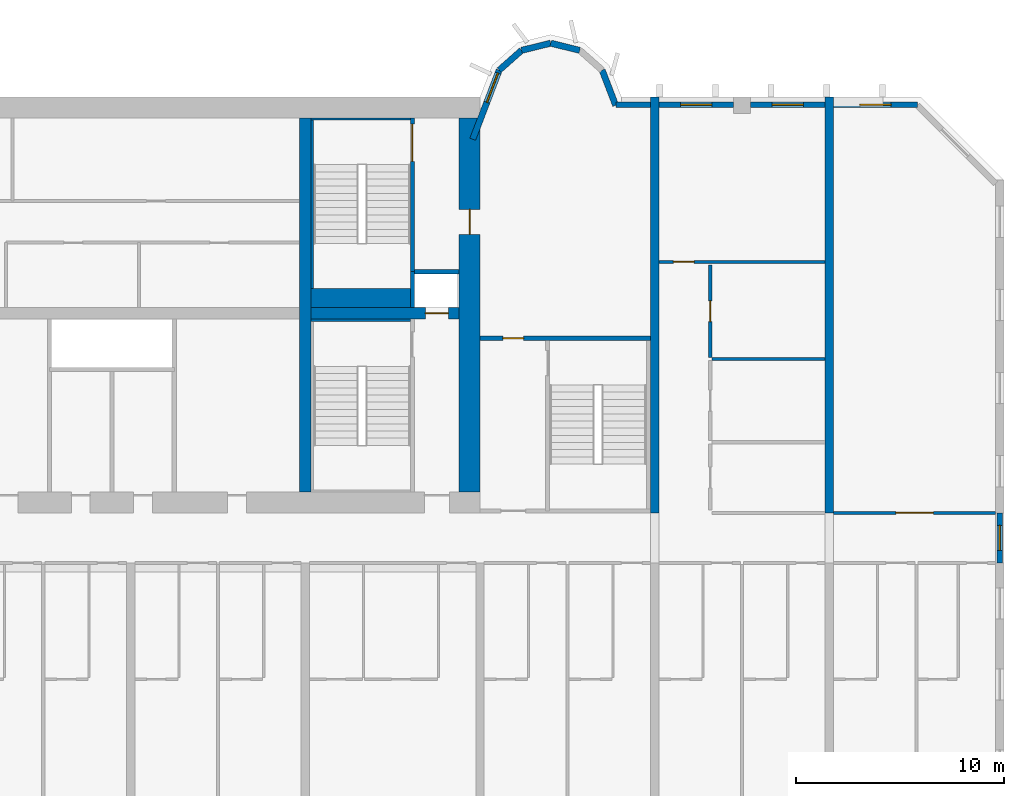
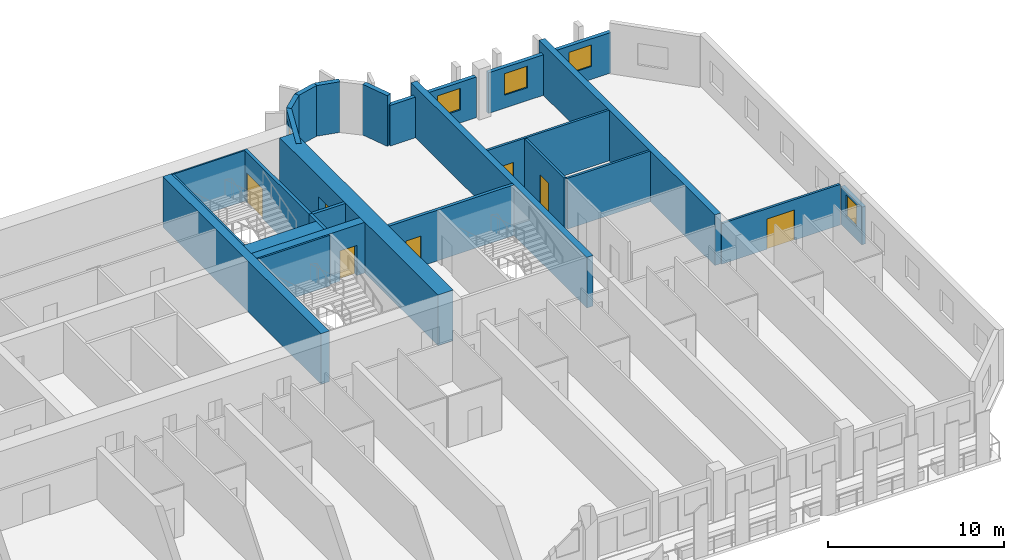
# One storey, part 10 of 14: 27 walls, 7 doors, 5 windows, 12 openings.
"""IFC4 building model written with IfcOpenShell, lengths in metres."""

from ifc_helpers import new_model, si_unit, direction, frame, frame_2d, origin, place, context, subcontext, project, spatial, rectangle, extrude, source, transform, mapped, material, layer, layer_set, type_object, element, fill, save


model = new_model("IFC4")

# Units and contexts
model_context = context("Model", 3, precision=1e-05, world=origin(), true_north=direction((0.0, 1.0)))
body_context = subcontext(model_context, "Body", "Model", "MODEL_VIEW")
ifc_project = project(units=[si_unit("LENGTHUNIT", "METRE"), si_unit("AREAUNIT", "SQUARE_METRE"), si_unit("VOLUMEUNIT", "CUBIC_METRE"), si_unit("PLANEANGLEUNIT", "RADIAN"), si_unit("MASSUNIT", "GRAM", prefix="KILO")], contexts=[model_context])

# Site, building, storey
site_placement = place(None, origin())
site = spatial("IfcSite", under=ifc_project, at=site_placement, CompositionType="ELEMENT")
building_placement = place(site_placement, origin())
building = spatial("IfcBuilding", under=site, at=building_placement, Name="Vanashikhar Sky Hotel", CompositionType="ELEMENT")
storey_placement = place(building_placement, frame((0.0, 0.0, 54.39990234375)))
storey = spatial("IfcBuildingStorey", under=building, at=storey_placement, Name="L12", CompositionType="ELEMENT", Elevation=54.39990234375)

# Wall, opening, door
ifc_material_1 = material(Name="Concrete M80", Category="concrete")
ifc_layer_1 = layer(ifc_material_1, 1.0)
ifc_layer_set_1 = layer_set([ifc_layer_1], Name="RC core shell wall 1000 Concrete M80")
wall_type_1 = type_object("IfcWallType", Name="RC core shell wall 1000 Concrete M80", PredefinedType="SHEAR", material=ifc_layer_set_1)
shared_shape_1 = source(origin(), body_context, "Body", "SweptSolid", [
    extrude(rectangle(XDim=18.0, YDim=1.0, at=frame_2d((9.0, 0.0))), origin(), (0.0, 0.0, 1.0), 3.52001953125),
])
wall_1_placement = place(storey_placement, frame((75.10009765625, 23.0, 0.0), z_axis=(0.0, 0.0, 1.0), x_axis=(0.0, 1.0, 0.0)))
wall_1 = element("IfcWall", 1, at=wall_1_placement, inside=storey, type_object=wall_type_1, Name="KW-L12-KE", PredefinedType="SHEAR", context=body_context, shape_type="MappedRepresentation", body=[
    mapped(shared_shape_1, transform((0.0, 0.0, 0.0), scale=1.0)),
])
shared_shape_2 = source(origin(), body_context, "Body", "SweptSolid", [
    extrude(rectangle(XDim=1.199951171875, YDim=2.10009765625, at=frame_2d((0.60009765625, 1.050048828125))), frame((0.0, 0.510009765625, 0.0), z_axis=(0.0, -1.0, 0.0), x_axis=(1.0, 0.0, 0.0)), (0.0, 0.0, 1.0), 1.02001953125),
])
opening_1_placement = place(wall_1_placement, frame((12.39990234375, 0.0, 0.0)))
opening_1 = element("IfcOpeningElement", 2, at=opening_1_placement, cuts=wall_1, Name="Opening DC-4-D", PredefinedType="OPENING", context=body_context, shape_type="MappedRepresentation", body=[
    mapped(shared_shape_2, transform((0.0, 0.0, 0.0), scale=1.0)),
])
ifc_material_2 = material(Name="Steel", Category="steel")
door_type_1 = type_object("IfcDoorType", Name="Service door 1200 FD120", OperationType="NOTDEFINED", PredefinedType="DOOR", material=ifc_material_2)
shared_shape_3 = source(origin(), body_context, "Body", "SweptSolid", [
    extrude(rectangle(XDim=1.199951171875, YDim=2.10009765625, at=frame_2d((0.60009765625, 1.050048828125))), frame((0.0, 0.02490234375, 0.0), z_axis=(0.0, -1.0, 0.0), x_axis=(1.0, 0.0, 0.0)), (0.0, 0.0, 1.0), 0.050048828125),
])
door_1_placement = place(opening_1_placement, origin())
door_1 = element("IfcDoor", 3, at=door_1_placement, inside=storey, type_object=door_type_1, Name="Service door 1200 FD120", OperationType="SINGLE_SWING_RIGHT", OverallHeight=2.10009765625, OverallWidth=1.199951171875, PredefinedType="DOOR", context=body_context, shape_type="MappedRepresentation", body=[
    mapped(shared_shape_3, transform((0.0, 0.0, 0.0), scale=1.0)),
])
fill(opening_1, door_1)

# Wall
ifc_layer_2 = layer(ifc_material_1, 0.550048828125)
ifc_layer_set_2 = layer_set([ifc_layer_2], Name="RC core inner wall 550 Concrete M80")
wall_type_2 = type_object("IfcWallType", Name="RC core inner wall 550 Concrete M80", PredefinedType="SHEAR", material=ifc_layer_set_2)
shared_shape_4 = source(origin(), body_context, "Body", "SweptSolid", [
    extrude(rectangle(XDim=18.0, YDim=0.550048828125, at=frame_2d((9.0, 0.0))), origin(), (0.0, 0.0, 1.0), 3.52001953125),
])
wall_2_placement = place(storey_placement, frame((67.199951171875, 23.0, 0.0), z_axis=(0.0, 0.0, 1.0), x_axis=(0.0, 1.0, 0.0)))
element("IfcWall", 4, at=wall_2_placement, inside=storey, type_object=wall_type_2, Name="KW-L12-KX3", PredefinedType="SHEAR", context=body_context, shape_type="MappedRepresentation", body=[
    mapped(shared_shape_4, transform((0.0, 0.0, 0.0), scale=1.0)),
])

# Wall, opening, door
shared_shape_5 = source(origin(), body_context, "Body", "SweptSolid", [
    extrude(rectangle(XDim=7.125, YDim=0.550048828125, at=frame_2d((3.5625, 0.0))), origin(), (0.0, 0.0, 1.0), 3.52001953125),
])
wall_3_placement = place(storey_placement, frame((67.47509765625, 31.60009765625, 0.0), z_axis=(0.0, 0.0, 1.0), x_axis=(1.0, 0.0, 0.0)))
wall_3 = element("IfcWall", 5, at=wall_3_placement, inside=storey, type_object=wall_type_2, Name="KW-L12-KY4", PredefinedType="SHEAR", context=body_context, shape_type="MappedRepresentation", body=[
    mapped(shared_shape_5, transform((0.0, 0.0, 0.0), scale=1.0)),
])
shared_shape_6 = source(origin(), body_context, "Body", "SweptSolid", [
    extrude(rectangle(XDim=1.10009765625, YDim=2.10009765625, at=frame_2d((0.550048828125, 1.050048828125))), frame((0.0, 0.28515625, 0.0), z_axis=(0.0, -1.0, 0.0), x_axis=(1.0, 0.0, 0.0)), (0.0, 0.0, 1.0), 0.570068359375),
])
opening_2_placement = place(wall_3_placement, frame((5.5, 0.0, 0.0)))
opening_2 = element("IfcOpeningElement", 6, at=opening_2_placement, cuts=wall_3, Name="Opening LD", PredefinedType="OPENING", context=body_context, shape_type="MappedRepresentation", body=[
    mapped(shared_shape_6, transform((0.0, 0.0, 0.0), scale=1.0)),
])
ifc_material_3 = material(Name="Stainless steel", Category="steel")
door_type_2 = type_object("IfcDoorType", Name="Lift landing door 1100", OperationType="NOTDEFINED", PredefinedType="DOOR", material=ifc_material_3)
shared_shape_7 = source(origin(), body_context, "Body", "SweptSolid", [
    extrude(rectangle(XDim=1.10009765625, YDim=2.10009765625, at=frame_2d((0.550048828125, 1.050048828125))), frame((0.0, 0.02490234375, 0.0), z_axis=(0.0, -1.0, 0.0), x_axis=(1.0, 0.0, 0.0)), (0.0, 0.0, 1.0), 0.050048828125),
])
door_2_placement = place(opening_2_placement, origin())
door_2 = element("IfcDoor", 7, at=door_2_placement, inside=storey, type_object=door_type_2, Name="Lift landing door 1100", OperationType="SLIDING_TO_LEFT", OverallHeight=2.10009765625, OverallWidth=1.10009765625, PredefinedType="DOOR", context=body_context, shape_type="MappedRepresentation", body=[
    mapped(shared_shape_7, transform((0.0, 0.0, 0.0), scale=1.0)),
])
fill(opening_2, door_2)

# Walls
ifc_layer_3 = layer(ifc_material_1, 0.39990234375)
ifc_layer_set_3 = layer_set([ifc_layer_3], Name="RC shear wall 400 Concrete M80")
wall_type_3 = type_object("IfcWallType", Name="RC shear wall 400 Concrete M80", PredefinedType="SHEAR", material=ifc_layer_set_3)
shared_shape_8 = source(origin(), body_context, "Body", "SweptSolid", [
    extrude(rectangle(XDim=20.0, YDim=0.39990234375, at=frame_2d((10.0, 0.0))), origin(), (0.0, 0.0, 1.0), 3.52001953125),
])
for number, where, z_axis, x_axis, name in (
    (8, (84.0, 22.0, 0.0), (0.0, 0.0, 1.0), (0.0, 1.0, 0.0), "CW-L12-XW11-2"),
    (9, (92.39990234375, 22.0, 0.0), (0.0, 0.0, 1.0), (0.0, 1.0, 0.0), "CW-L12-XW12-2"),
):
    element("IfcWall", number, at=place(storey_placement, frame(where, z_axis=z_axis, x_axis=x_axis)), inside=storey, type_object=wall_type_3, Name=name, PredefinedType="SHEAR", context=body_context, shape_type="MappedRepresentation", body=[
        mapped(shared_shape_8, transform((0.0, 0.0, 0.0), scale=1.0)),
    ])

# Wall, opening, window
ifc_material_4 = material(Name="Concrete M50", Category="concrete")
ifc_layer_4 = layer(ifc_material_4, 0.300048828125)
ifc_layer_set_4 = layer_set([ifc_layer_4], Name="Lobe wall 300")
wall_type_4 = type_object("IfcWallType", Name="Lobe wall 300", PredefinedType="SOLIDWALL", material=ifc_layer_set_4)
shared_shape_9 = source(origin(), body_context, "Body", "SweptSolid", [
    extrude(rectangle(XDim=3.55908203125, YDim=0.300048828125, at=frame_2d((1.779541015625, 0.0))), origin(), (0.0, 0.0, 1.0), 3.52001953125),
])
wall_4_placement = place(storey_placement, frame((76.5234375, 43.2919921875, 0.0), z_axis=(0.0, 0.0, 1.0), x_axis=(-0.35779745313, -0.933799219604, 0.0)))
wall_4 = element("IfcWall", 10, at=wall_4_placement, inside=storey, type_object=wall_type_4, Name="Lobe wall", PredefinedType="SOLIDWALL", context=body_context, shape_type="MappedRepresentation", body=[
    mapped(shared_shape_9, transform((0.0, 0.0, 0.0), scale=1.0)),
])
shared_shape_10 = source(origin(), body_context, "Body", "SweptSolid", [
    extrude(rectangle(XDim=1.5, YDim=2.0, at=frame_2d((0.75, 1.0))), frame((0.0, 0.16015625, 0.0), z_axis=(0.0, -1.0, 0.0), x_axis=(1.0, 0.0, 0.0)), (0.0, 0.0, 1.0), 0.320068359375),
])
opening_3_placement = place(wall_4_placement, frame((0.156005859375, 0.0, 0.89990234375)))
opening_3 = element("IfcOpeningElement", 11, at=opening_3_placement, cuts=wall_4, Name="Opening WN-2", PredefinedType="OPENING", context=body_context, shape_type="MappedRepresentation", body=[
    mapped(shared_shape_10, transform((0.0, 0.0, 0.0), scale=1.0)),
])
ifc_material_5 = material(Name="Glass", Category="glass")
window_type_1 = type_object("IfcWindowType", Name="Lobe window 1500 x 2000", PartitioningType="SINGLE_PANEL", PredefinedType="WINDOW", material=ifc_material_5)
shared_shape_11 = source(origin(), body_context, "Body", "SweptSolid", [
    extrude(rectangle(XDim=1.5, YDim=2.0, at=frame_2d((0.75, 1.0))), frame((0.0, 0.030029296875, 0.0), z_axis=(0.0, -1.0, 0.0), x_axis=(1.0, 0.0, 0.0)), (0.0, 0.0, 1.0), 0.06005859375),
])
window_1_placement = place(opening_3_placement, origin())
window_1 = element("IfcWindow", 12, at=window_1_placement, inside=storey, type_object=window_type_1, Name="Window WN-2", OverallHeight=2.0, OverallWidth=1.5, PartitioningType="SINGLE_PANEL", PredefinedType="WINDOW", context=body_context, shape_type="MappedRepresentation", body=[
    mapped(shared_shape_11, transform((0.0, 0.0, 0.0), scale=1.0)),
])
fill(opening_3, window_1)

# Walls
shared_shape_12 = source(origin(), body_context, "Body", "SweptSolid", [
    extrude(rectangle(XDim=1.438720703125, YDim=0.300048828125, at=frame_2d((0.71923828125, 0.0))), origin(), (0.0, 0.0, 1.0), 3.52001953125),
])
for number, where, z_axis, x_axis, name in (
    (13, (80.397216796875, 44.2451171875, 0.0), (0.0, 0.0, 1.0), (-0.971161932466, 0.238420848351, 0.0), "Lobe wall"),
    (14, (79.0, 44.588134765625, 0.0), (0.0, 0.0, 1.0), (-0.971161932466, -0.238420848351, 0.0), "Lobe wall"),
):
    element("IfcWall", number, at=place(storey_placement, frame(where, z_axis=z_axis, x_axis=x_axis)), inside=storey, type_object=wall_type_4, Name=name, PredefinedType="SOLIDWALL", context=body_context, shape_type="MappedRepresentation", body=[
        mapped(shared_shape_12, transform((0.0, 0.0, 0.0), scale=1.0)),
    ])
shared_shape_13 = source(origin(), body_context, "Body", "SweptSolid", [
    extrude(rectangle(XDim=1.43994140625, YDim=0.300048828125, at=frame_2d((0.719970703125, 0.0))), origin(), (0.0, 0.0, 1.0), 3.52001953125),
])
wall_5_placement = place(storey_placement, frame((77.602783203125, 44.2451171875, 0.0), z_axis=(0.0, 0.0, 1.0), x_axis=(-0.74957555648, -0.661918790432, 0.0)))
element("IfcWall", 15, at=wall_5_placement, inside=storey, type_object=wall_type_4, Name="Lobe wall", PredefinedType="SOLIDWALL", context=body_context, shape_type="MappedRepresentation", body=[
    mapped(shared_shape_13, transform((0.0, 0.0, 0.0), scale=1.0)),
])
shared_shape_14 = source(origin(), body_context, "Body", "SweptSolid", [
    extrude(rectangle(XDim=1.81201171875, YDim=0.300048828125, at=frame_2d((0.906005859375, 0.0))), origin(), (0.0, 0.0, 1.0), 3.52001953125),
])
wall_6_placement = place(storey_placement, frame((82.125, 41.60009765625, 0.0), z_axis=(0.0, 0.0, 1.0), x_axis=(-0.357877270961, 0.93376863244, 0.0)))
element("IfcWall", 16, at=wall_6_placement, inside=storey, type_object=wall_type_4, Name="Lobe wall", PredefinedType="SOLIDWALL", context=body_context, shape_type="MappedRepresentation", body=[
    mapped(shared_shape_14, transform((0.0, 0.0, 0.0), scale=1.0)),
])

# Wall, opening, window
ifc_layer_5 = layer(ifc_material_4, 0.25)
ifc_layer_set_5 = layer_set([ifc_layer_5], Name="Rear and end board-marked wall 250")
wall_type_5 = type_object("IfcWallType", Name="Rear and end board-marked wall 250", PredefinedType="SOLIDWALL", material=ifc_layer_set_5)
shared_shape_15 = source(origin(), body_context, "Body", "SweptSolid", [
    extrude(rectangle(XDim=2.39990234375, YDim=0.25, at=frame_2d((1.199951171875, 0.0))), origin(), (0.0, 0.0, 1.0), 2.6201171875),
])
wall_7_placement = place(storey_placement, frame((100.60009765625, 19.60009765625, 0.0), z_axis=(0.0, 0.0, 1.0), x_axis=(0.0, 1.0, 0.0)))
wall_7 = element("IfcWall", 17, at=wall_7_placement, inside=storey, type_object=wall_type_5, Name="End corridor infill wall", PredefinedType="SOLIDWALL", context=body_context, shape_type="MappedRepresentation", body=[
    mapped(shared_shape_15, transform((0.0, 0.0, 0.0), scale=1.0)),
])
shared_shape_16 = source(origin(), body_context, "Body", "SweptSolid", [
    extrude(rectangle(XDim=1.199951171875, YDim=1.5, at=frame_2d((0.60009765625, 0.75))), frame((0.0, 0.135009765625, 0.0), z_axis=(0.0, -1.0, 0.0), x_axis=(1.0, 0.0, 0.0)), (0.0, 0.0, 1.0), 0.27001953125),
])
opening_4_placement = place(wall_7_placement, frame((0.60009765625, 0.0, 0.89990234375)))
opening_4 = element("IfcOpeningElement", 18, at=opening_4_placement, cuts=wall_7, Name="Opening WN-3", PredefinedType="OPENING", context=body_context, shape_type="MappedRepresentation", body=[
    mapped(shared_shape_16, transform((0.0, 0.0, 0.0), scale=1.0)),
])
window_type_2 = type_object("IfcWindowType", Name="Corridor end window 1200 x 1500", PartitioningType="SINGLE_PANEL", PredefinedType="WINDOW", material=ifc_material_5)
shared_shape_17 = source(origin(), body_context, "Body", "SweptSolid", [
    extrude(rectangle(XDim=1.199951171875, YDim=1.5, at=frame_2d((0.60009765625, 0.75))), frame((0.0, 0.030029296875, 0.0), z_axis=(0.0, -1.0, 0.0), x_axis=(1.0, 0.0, 0.0)), (0.0, 0.0, 1.0), 0.06005859375),
])
window_2_placement = place(opening_4_placement, origin())
window_2 = element("IfcWindow", 19, at=window_2_placement, inside=storey, type_object=window_type_2, Name="Window WN-3", OverallHeight=1.5, OverallWidth=1.199951171875, PartitioningType="SINGLE_PANEL", PredefinedType="WINDOW", context=body_context, shape_type="MappedRepresentation", body=[
    mapped(shared_shape_17, transform((0.0, 0.0, 0.0), scale=1.0)),
])
fill(opening_4, window_2)

# Wall
shared_shape_18 = source(origin(), body_context, "Body", "SweptSolid", [
    extrude(rectangle(XDim=1.657958984375, YDim=0.25, at=frame_2d((0.8291015625, 0.0))), origin(), (0.0, 0.0, 1.0), 2.820068359375),
])
wall_8_placement = place(storey_placement, frame((83.800048828125, 41.625, 0.0), z_axis=(0.0, 0.0, 1.0), x_axis=(-1.0, 0.0, 0.0)))
element("IfcWall", 20, at=wall_8_placement, inside=storey, type_object=wall_type_5, Name="Rear board-marked wall", PredefinedType="SOLIDWALL", context=body_context, shape_type="MappedRepresentation", body=[
    mapped(shared_shape_18, transform((0.0, 0.0, 0.0), scale=1.0)),
])

# Wall, opening, window
shared_shape_19 = source(origin(), body_context, "Body", "SweptSolid", [
    extrude(rectangle(XDim=3.60009765625, YDim=0.25, at=frame_2d((1.800048828125, 0.0))), origin(), (0.0, 0.0, 1.0), 2.820068359375),
])
wall_9_placement = place(storey_placement, frame((87.800048828125, 41.625, 0.0), z_axis=(0.0, 0.0, 1.0), x_axis=(-1.0, 0.0, 0.0)))
wall_9 = element("IfcWall", 21, at=wall_9_placement, inside=storey, type_object=wall_type_5, Name="Rear board-marked wall", PredefinedType="SOLIDWALL", context=body_context, shape_type="MappedRepresentation", body=[
    mapped(shared_shape_19, transform((0.0, 0.0, 0.0), scale=1.0)),
])
shared_shape_20 = source(origin(), body_context, "Body", "SweptSolid", [
    extrude(rectangle(XDim=1.5, YDim=1.5, at=frame_2d((0.75, 0.75))), frame((0.0, 0.135009765625, 0.0), z_axis=(0.0, -1.0, 0.0), x_axis=(1.0, 0.0, 0.0)), (0.0, 0.0, 1.0), 0.27001953125),
])
opening_5_placement = place(wall_9_placement, frame((1.050048828125, 0.0, 0.89990234375)))
opening_5 = element("IfcOpeningElement", 22, at=opening_5_placement, cuts=wall_9, Name="Opening WN-1", PredefinedType="OPENING", context=body_context, shape_type="MappedRepresentation", body=[
    mapped(shared_shape_20, transform((0.0, 0.0, 0.0), scale=1.0)),
])
window_type_3 = type_object("IfcWindowType", Name="Window 1500 x 1500", PartitioningType="SINGLE_PANEL", PredefinedType="WINDOW", material=ifc_material_5)
shared_shape_21 = source(origin(), body_context, "Body", "SweptSolid", [
    extrude(rectangle(XDim=1.5, YDim=1.5, at=frame_2d((0.75, 0.75))), frame((0.0, 0.030029296875, 0.0), z_axis=(0.0, -1.0, 0.0), x_axis=(1.0, 0.0, 0.0)), (0.0, 0.0, 1.0), 0.06005859375),
])
window_3_placement = place(opening_5_placement, origin())
window_3 = element("IfcWindow", 23, at=window_3_placement, inside=storey, type_object=window_type_3, Name="Window WN-1", OverallHeight=1.5, OverallWidth=1.5, PartitioningType="SINGLE_PANEL", PredefinedType="WINDOW", context=body_context, shape_type="MappedRepresentation", body=[
    mapped(shared_shape_21, transform((0.0, 0.0, 0.0), scale=1.0)),
])
fill(opening_5, window_3)

shared_shape_22 = source(origin(), body_context, "Body", "SweptSolid", [
    extrude(rectangle(XDim=3.599853515625, YDim=0.25, at=frame_2d((1.7998046875, 0.0))), origin(), (0.0, 0.0, 1.0), 2.820068359375),
])
wall_10_placement = place(storey_placement, frame((92.199951171875, 41.625, 0.0), z_axis=(0.0, 0.0, 1.0), x_axis=(-1.0, 0.0, 0.0)))
wall_10 = element("IfcWall", 24, at=wall_10_placement, inside=storey, type_object=wall_type_5, Name="Rear board-marked wall", PredefinedType="SOLIDWALL", context=body_context, shape_type="MappedRepresentation", body=[
    mapped(shared_shape_22, transform((0.0, 0.0, 0.0), scale=1.0)),
])
opening_6_placement = place(wall_10_placement, frame((1.050048828125, 0.0, 0.89990234375)))
opening_6 = element("IfcOpeningElement", 25, at=opening_6_placement, cuts=wall_10, Name="Opening WN-1", PredefinedType="OPENING", context=body_context, shape_type="MappedRepresentation", body=[
    mapped(shared_shape_20, transform((0.0, 0.0, 0.0), scale=1.0)),
])
window_4_placement = place(opening_6_placement, origin())
window_4 = element("IfcWindow", 26, at=window_4_placement, inside=storey, type_object=window_type_3, Name="Window WN-1", OverallHeight=1.5, OverallWidth=1.5, PartitioningType="SINGLE_PANEL", PredefinedType="WINDOW", context=body_context, shape_type="MappedRepresentation", body=[
    mapped(shared_shape_21, transform((0.0, 0.0, 0.0), scale=1.0)),
])
fill(opening_6, window_4)

shared_shape_23 = source(origin(), body_context, "Body", "SweptSolid", [
    extrude(rectangle(XDim=4.044677734375, YDim=0.25, at=frame_2d((2.0224609375, 0.0))), origin(), (0.0, 0.0, 1.0), 2.820068359375),
])
wall_11_placement = place(storey_placement, frame((96.644775390625, 41.625, 0.0), z_axis=(0.0, 0.0, 1.0), x_axis=(-1.0, 0.0, 0.0)))
wall_11 = element("IfcWall", 27, at=wall_11_placement, inside=storey, type_object=wall_type_5, Name="Rear board-marked wall", PredefinedType="SOLIDWALL", context=body_context, shape_type="MappedRepresentation", body=[
    mapped(shared_shape_23, transform((0.0, 0.0, 0.0), scale=1.0)),
])
opening_7_placement = place(wall_11_placement, frame((1.272216796875, 0.0, 0.89990234375)))
opening_7 = element("IfcOpeningElement", 28, at=opening_7_placement, cuts=wall_11, Name="Opening WN-1", PredefinedType="OPENING", context=body_context, shape_type="MappedRepresentation", body=[
    mapped(shared_shape_20, transform((0.0, 0.0, 0.0), scale=1.0)),
])
window_5_placement = place(opening_7_placement, origin())
window_5 = element("IfcWindow", 29, at=window_5_placement, inside=storey, type_object=window_type_3, Name="Window WN-1", OverallHeight=1.5, OverallWidth=1.5, PartitioningType="SINGLE_PANEL", PredefinedType="WINDOW", context=body_context, shape_type="MappedRepresentation", body=[
    mapped(shared_shape_21, transform((0.0, 0.0, 0.0), scale=1.0)),
])
fill(opening_7, window_5)

# Wall, opening, door
ifc_layer_6 = layer(ifc_material_4, 0.199951171875)
ifc_layer_set_6 = layer_set([ifc_layer_6], Name="Stair wall 200")
wall_type_6 = type_object("IfcWallType", Name="Stair wall 200", PredefinedType="SOLIDWALL", material=ifc_layer_set_6)
shared_shape_24 = source(origin(), body_context, "Body", "SweptSolid", [
    extrude(rectangle(XDim=8.199951171875, YDim=0.199951171875, at=frame_2d((4.10009765625, 0.0))), origin(), (0.0, 0.0, 1.0), 3.52001953125),
])
wall_12_placement = place(storey_placement, frame((83.800048828125, 30.39990234375, 0.0), z_axis=(0.0, 0.0, 1.0), x_axis=(-1.0, 0.0, 0.0)))
wall_12 = element("IfcWall", 30, at=wall_12_placement, inside=storey, type_object=wall_type_6, Name="Stair wall 200", PredefinedType="SOLIDWALL", context=body_context, shape_type="MappedRepresentation", body=[
    mapped(shared_shape_24, transform((0.0, 0.0, 0.0), scale=1.0)),
])
shared_shape_25 = source(origin(), body_context, "Body", "SweptSolid", [
    extrude(rectangle(XDim=1.0, YDim=2.10009765625, at=frame_2d((0.5, 1.050048828125))), frame((0.0, 0.10986328125, 0.0), z_axis=(0.0, -1.0, 0.0), x_axis=(1.0, 0.0, 0.0)), (0.0, 0.0, 1.0), 0.219970703125),
])
opening_8_placement = place(wall_12_placement, frame((6.10009765625, 0.0, 0.0)))
opening_8 = element("IfcOpeningElement", 31, at=opening_8_placement, cuts=wall_12, Name="Opening DC-6", PredefinedType="OPENING", context=body_context, shape_type="MappedRepresentation", body=[
    mapped(shared_shape_25, transform((0.0, 0.0, 0.0), scale=1.0)),
])
door_type_3 = type_object("IfcDoorType", Name="Pocket door 1000 FD60", OperationType="NOTDEFINED", PredefinedType="DOOR", material=ifc_material_2)
shared_shape_26 = source(origin(), body_context, "Body", "SweptSolid", [
    extrude(rectangle(XDim=1.0, YDim=2.10009765625, at=frame_2d((0.5, 1.050048828125))), frame((0.0, 0.02490234375, 0.0), z_axis=(0.0, -1.0, 0.0), x_axis=(1.0, 0.0, 0.0)), (0.0, 0.0, 1.0), 0.050048828125),
])
door_3_placement = place(opening_8_placement, origin())
door_3 = element("IfcDoor", 32, at=door_3_placement, inside=storey, type_object=door_type_3, Name="Pocket door 1000 FD60", OperationType="SINGLE_SWING_LEFT", OverallHeight=2.10009765625, OverallWidth=1.0, PredefinedType="DOOR", context=body_context, shape_type="MappedRepresentation", body=[
    mapped(shared_shape_26, transform((0.0, 0.0, 0.0), scale=1.0)),
])
fill(opening_8, door_3)

# Walls
ifc_material_6 = material(Name="Concrete M40", Category="concrete")
ifc_layer_7 = layer(ifc_material_6, 0.199951171875)
ifc_layer_set_7 = layer_set([ifc_layer_7], Name="Shaft wall 200")
wall_type_7 = type_object("IfcWallType", Name="Shaft wall 200", PredefinedType="SOLIDWALL", material=ifc_layer_set_7)
shared_shape_27 = source(origin(), body_context, "Body", "SweptSolid", [
    extrude(rectangle(XDim=2.150146484375, YDim=0.199951171875, at=frame_2d((1.0751953125, 0.0))), origin(), (0.0, 0.0, 1.0), 3.52001953125),
])
wall_13_placement = place(storey_placement, frame((72.449951171875, 33.60009765625, 0.0), z_axis=(0.0, 0.0, 1.0), x_axis=(1.0, 0.0, 0.0)))
element("IfcWall", 33, at=wall_13_placement, inside=storey, type_object=wall_type_7, Name="Shaft wall 200", PredefinedType="SOLIDWALL", context=body_context, shape_type="MappedRepresentation", body=[
    mapped(shared_shape_27, transform((0.0, 0.0, 0.0), scale=1.0)),
])
shared_shape_28 = source(origin(), body_context, "Body", "SweptSolid", [
    extrude(rectangle(XDim=1.72509765625, YDim=0.199951171875, at=frame_2d((0.862548828125, 0.0))), origin(), (0.0, 0.0, 1.0), 3.52001953125),
])
wall_14_placement = place(storey_placement, frame((72.35009765625, 31.875, 0.0), z_axis=(0.0, 0.0, 1.0), x_axis=(0.0, 1.0, 0.0)))
element("IfcWall", 34, at=wall_14_placement, inside=storey, type_object=wall_type_7, Name="Shaft wall 200", PredefinedType="SOLIDWALL", context=body_context, shape_type="MappedRepresentation", body=[
    mapped(shared_shape_28, transform((0.0, 0.0, 0.0), scale=1.0)),
])

# Wall, opening, door
shared_shape_29 = source(origin(), body_context, "Body", "SweptSolid", [
    extrude(rectangle(XDim=7.39990234375, YDim=0.199951171875, at=frame_2d((3.699951171875, 0.0))), origin(), (0.0, 0.0, 1.0), 3.52001953125),
])
wall_15_placement = place(storey_placement, frame((72.35009765625, 33.60009765625, 0.0), z_axis=(0.0, 0.0, 1.0), x_axis=(0.0, 1.0, 0.0)))
wall_15 = element("IfcWall", 35, at=wall_15_placement, inside=storey, type_object=wall_type_6, Name="Stair wall 200", PredefinedType="SOLIDWALL", context=body_context, shape_type="MappedRepresentation", body=[
    mapped(shared_shape_29, transform((0.0, 0.0, 0.0), scale=1.0)),
])
shared_shape_30 = source(origin(), body_context, "Body", "SweptSolid", [
    extrude(rectangle(XDim=1.800048828125, YDim=2.10009765625, at=frame_2d((0.89990234375, 1.050048828125))), frame((0.0, 0.10986328125, 0.0), z_axis=(0.0, -1.0, 0.0), x_axis=(1.0, 0.0, 0.0)), (0.0, 0.0, 1.0), 0.219970703125),
])
opening_9_placement = place(wall_15_placement, frame((5.300048828125, 0.0, 0.0)))
opening_9 = element("IfcOpeningElement", 36, at=opening_9_placement, cuts=wall_15, Name="Opening DC-1-A", PredefinedType="OPENING", context=body_context, shape_type="MappedRepresentation", body=[
    mapped(shared_shape_30, transform((0.0, 0.0, 0.0), scale=1.0)),
])
door_type_4 = type_object("IfcDoorType", Name="Stair door 1800 FD120", OperationType="NOTDEFINED", PredefinedType="DOOR", material=ifc_material_2)
shared_shape_31 = source(origin(), body_context, "Body", "SweptSolid", [
    extrude(rectangle(XDim=1.800048828125, YDim=2.10009765625, at=frame_2d((0.89990234375, 1.050048828125))), frame((0.0, 0.02490234375, 0.0), z_axis=(0.0, -1.0, 0.0), x_axis=(1.0, 0.0, 0.0)), (0.0, 0.0, 1.0), 0.050048828125),
])
door_4_placement = place(opening_9_placement, origin())
door_4 = element("IfcDoor", 37, at=door_4_placement, inside=storey, type_object=door_type_4, Name="Stair door 1800 FD120", OperationType="SINGLE_SWING_RIGHT", OverallHeight=2.10009765625, OverallWidth=1.800048828125, PredefinedType="DOOR", context=body_context, shape_type="MappedRepresentation", body=[
    mapped(shared_shape_31, transform((0.0, 0.0, 0.0), scale=1.0)),
])
fill(opening_9, door_4)

# Walls
ifc_layer_8 = layer(ifc_material_4, 0.10009765625)
ifc_layer_set_8 = layer_set([ifc_layer_8], Name="Stair infill wall 100")
wall_type_8 = type_object("IfcWallType", Name="Stair infill wall 100", PredefinedType="SOLIDWALL", material=ifc_layer_set_8)
shared_shape_32 = source(origin(), body_context, "Body", "SweptSolid", [
    extrude(rectangle(XDim=4.77490234375, YDim=0.10009765625, at=frame_2d((2.387451171875, 0.0))), origin(), (0.0, 0.0, 1.0), 3.52001953125),
])
wall_16_placement = place(storey_placement, frame((67.47509765625, 40.949951171875, 0.0), z_axis=(0.0, 0.0, 1.0), x_axis=(1.0, 0.0, 0.0)))
element("IfcWall", 38, at=wall_16_placement, inside=storey, type_object=wall_type_8, Name="Stair infill wall 100", PredefinedType="SOLIDWALL", context=body_context, shape_type="MappedRepresentation", body=[
    mapped(shared_shape_32, transform((0.0, 0.0, 0.0), scale=1.0)),
])
ifc_layer_9 = layer(ifc_material_4, 0.125)
ifc_layer_set_9 = layer_set([ifc_layer_9], Name="Stair infill wall 125")
wall_type_9 = type_object("IfcWallType", Name="Stair infill wall 125", PredefinedType="SOLIDWALL", material=ifc_layer_set_9)
shared_shape_33 = source(origin(), body_context, "Body", "SweptSolid", [
    extrude(rectangle(XDim=4.77490234375, YDim=0.125, at=frame_2d((2.387451171875, 0.0))), origin(), (0.0, 0.0, 1.0), 3.52001953125),
])
wall_17_placement = place(storey_placement, frame((67.47509765625, 31.261962890625, 0.0), z_axis=(0.0, 0.0, 1.0), x_axis=(1.0, 0.0, 0.0)))
element("IfcWall", 39, at=wall_17_placement, inside=storey, type_object=wall_type_9, Name="Stair infill wall 125", PredefinedType="SOLIDWALL", context=body_context, shape_type="MappedRepresentation", body=[
    mapped(shared_shape_33, transform((0.0, 0.0, 0.0), scale=1.0)),
])
shared_shape_34 = source(origin(), body_context, "Body", "SweptSolid", [
    extrude(rectangle(XDim=8.099853515625, YDim=0.125, at=frame_2d((4.0498046875, 0.0))), origin(), (0.0, 0.0, 1.0), 3.52001953125),
])
wall_18_placement = place(storey_placement, frame((67.537109375, 32.800048828125, 0.0), z_axis=(0.0, 0.0, 1.0), x_axis=(0.0, 1.0, 0.0)))
element("IfcWall", 40, at=wall_18_placement, inside=storey, type_object=wall_type_9, Name="Stair infill wall 125", PredefinedType="SOLIDWALL", context=body_context, shape_type="MappedRepresentation", body=[
    mapped(shared_shape_34, transform((0.0, 0.0, 0.0), scale=1.0)),
])
ifc_layer_10 = layer(ifc_material_4, 0.925048828125)
ifc_layer_set_10 = layer_set([ifc_layer_10], Name="Stair infill wall 925")
wall_type_10 = type_object("IfcWallType", Name="Stair infill wall 925", PredefinedType="SOLIDWALL", material=ifc_layer_set_10)
shared_shape_35 = source(origin(), body_context, "Body", "SweptSolid", [
    extrude(rectangle(XDim=4.77490234375, YDim=0.925048828125, at=frame_2d((2.387451171875, 0.0))), origin(), (0.0, 0.0, 1.0), 3.52001953125),
])
wall_19_placement = place(storey_placement, frame((67.47509765625, 32.3369140625, 0.0), z_axis=(0.0, 0.0, 1.0), x_axis=(1.0, 0.0, 0.0)))
element("IfcWall", 41, at=wall_19_placement, inside=storey, type_object=wall_type_10, Name="Stair infill wall 925", PredefinedType="SOLIDWALL", context=body_context, shape_type="MappedRepresentation", body=[
    mapped(shared_shape_35, transform((0.0, 0.0, 0.0), scale=1.0)),
])

# Wall, opening, door
ifc_material_7 = material(Name="Gypsum plasterboard partition")
ifc_layer_11 = layer(ifc_material_7, 0.14990234375)
ifc_layer_set_11 = layer_set([ifc_layer_11], Name="Corridor and demising partition 150")
wall_type_11 = type_object("IfcWallType", Name="Corridor and demising partition 150", PredefinedType="PARTITIONING", material=ifc_layer_set_11)
shared_shape_36 = source(origin(), body_context, "Body", "SweptSolid", [
    extrude(rectangle(XDim=4.449951171875, YDim=0.14990234375, at=frame_2d((2.22509765625, 0.0))), origin(), (0.0, 0.0, 1.0), 3.52001953125),
])
wall_20_placement = place(storey_placement, frame((86.675048828125, 29.47509765625, 0.0), z_axis=(0.0, 0.0, 1.0), x_axis=(0.0, 1.0, 0.0)))
wall_20 = element("IfcWall", 42, at=wall_20_placement, inside=storey, type_object=wall_type_11, Name="W-L12-PW090", PredefinedType="PARTITIONING", context=body_context, shape_type="MappedRepresentation", body=[
    mapped(shared_shape_36, transform((0.0, 0.0, 0.0), scale=1.0)),
])
shared_shape_37 = source(origin(), body_context, "Body", "SweptSolid", [
    extrude(rectangle(XDim=1.0, YDim=2.10009765625, at=frame_2d((0.5, 1.050048828125))), frame((0.0, 0.0849609375, 0.0), z_axis=(0.0, -1.0, 0.0), x_axis=(1.0, 0.0, 0.0)), (0.0, 0.0, 1.0), 0.169921875),
])
opening_10_placement = place(wall_20_placement, frame((1.72509765625, 0.0, 0.0)))
opening_10 = element("IfcOpeningElement", 43, at=opening_10_placement, cuts=wall_20, Name="Opening D-01", PredefinedType="OPENING", context=body_context, shape_type="MappedRepresentation", body=[
    mapped(shared_shape_37, transform((0.0, 0.0, 0.0), scale=1.0)),
])
ifc_material_8 = material(Name="Timber fire door", Category="wood")
door_type_5 = type_object("IfcDoorType", Name="Guest entry door 1000 FD30S", OperationType="NOTDEFINED", PredefinedType="DOOR", material=ifc_material_8)
door_5_placement = place(opening_10_placement, origin())
door_5 = element("IfcDoor", 44, at=door_5_placement, inside=storey, type_object=door_type_5, Name="D-L12-051", OperationType="SINGLE_SWING_LEFT", OverallHeight=2.10009765625, OverallWidth=1.0, PredefinedType="DOOR", context=body_context, shape_type="MappedRepresentation", body=[
    mapped(shared_shape_26, transform((0.0, 0.0, 0.0), scale=1.0)),
])
fill(opening_10, door_5)

shared_shape_38 = source(origin(), body_context, "Body", "SweptSolid", [
    extrude(rectangle(XDim=7.7998046875, YDim=0.14990234375, at=frame_2d((3.89990234375, 0.0))), origin(), (0.0, 0.0, 1.0), 2.820068359375),
])
wall_21_placement = place(storey_placement, frame((92.60009765625, 22.0, 0.0), z_axis=(0.0, 0.0, 1.0), x_axis=(1.0, 0.0, 0.0)))
wall_21 = element("IfcWall", 45, at=wall_21_placement, inside=storey, type_object=wall_type_11, Name="W-L12-PW092", PredefinedType="PARTITIONING", context=body_context, shape_type="MappedRepresentation", body=[
    mapped(shared_shape_38, transform((0.0, 0.0, 0.0), scale=1.0)),
])
shared_shape_39 = source(origin(), body_context, "Body", "SweptSolid", [
    extrude(rectangle(XDim=1.800048828125, YDim=2.10009765625, at=frame_2d((0.89990234375, 1.050048828125))), frame((0.0, 0.0849609375, 0.0), z_axis=(0.0, -1.0, 0.0), x_axis=(1.0, 0.0, 0.0)), (0.0, 0.0, 1.0), 0.169921875),
])
opening_11_placement = place(wall_21_placement, frame((3.0, 0.0, 0.0)))
opening_11 = element("IfcOpeningElement", 46, at=opening_11_placement, cuts=wall_21, Name="Opening D-03", PredefinedType="OPENING", context=body_context, shape_type="MappedRepresentation", body=[
    mapped(shared_shape_39, transform((0.0, 0.0, 0.0), scale=1.0)),
])
door_type_6 = type_object("IfcDoorType", Name="Double leaf door 1800 FD30S", OperationType="NOTDEFINED", PredefinedType="DOOR", material=ifc_material_8)
door_6_placement = place(opening_11_placement, origin())
door_6 = element("IfcDoor", 47, at=door_6_placement, inside=storey, type_object=door_type_6, Name="D-L12-053", OperationType="DOUBLE_DOOR_SINGLE_SWING", OverallHeight=2.10009765625, OverallWidth=1.800048828125, PredefinedType="DOOR", context=body_context, shape_type="MappedRepresentation", body=[
    mapped(shared_shape_31, transform((0.0, 0.0, 0.0), scale=1.0)),
])
fill(opening_11, door_6)

# Wall
shared_shape_40 = source(origin(), body_context, "Body", "SweptSolid", [
    extrude(rectangle(XDim=5.449951171875, YDim=0.14990234375, at=frame_2d((2.72509765625, 0.0))), origin(), (0.0, 0.0, 1.0), 3.52001953125),
])
wall_22_placement = place(storey_placement, frame((86.75, 29.39990234375, 0.0), z_axis=(0.0, 0.0, 1.0), x_axis=(1.0, 0.0, 0.0)))
element("IfcWall", 48, at=wall_22_placement, inside=storey, type_object=wall_type_11, Name="W-L12-PW089", PredefinedType="PARTITIONING", context=body_context, shape_type="MappedRepresentation", body=[
    mapped(shared_shape_40, transform((0.0, 0.0, 0.0), scale=1.0)),
])

# Wall, opening, door
shared_shape_41 = source(origin(), body_context, "Body", "SweptSolid", [
    extrude(rectangle(XDim=8.0, YDim=0.14990234375, at=frame_2d((4.0, 0.0))), origin(), (0.0, 0.0, 1.0), 3.52001953125),
])
wall_23_placement = place(storey_placement, frame((84.199951171875, 34.074951171875, 0.0), z_axis=(0.0, 0.0, 1.0), x_axis=(1.0, 0.0, 0.0)))
wall_23 = element("IfcWall", 49, at=wall_23_placement, inside=storey, type_object=wall_type_11, Name="W-L12-PW091", PredefinedType="PARTITIONING", context=body_context, shape_type="MappedRepresentation", body=[
    mapped(shared_shape_41, transform((0.0, 0.0, 0.0), scale=1.0)),
])
opening_12_placement = place(wall_23_placement, frame((0.699951171875, 0.0, 0.0)))
opening_12 = element("IfcOpeningElement", 50, at=opening_12_placement, cuts=wall_23, Name="Opening D-01", PredefinedType="OPENING", context=body_context, shape_type="MappedRepresentation", body=[
    mapped(shared_shape_37, transform((0.0, 0.0, 0.0), scale=1.0)),
])
door_7_placement = place(opening_12_placement, origin())
door_7 = element("IfcDoor", 51, at=door_7_placement, inside=storey, type_object=door_type_5, Name="D-L12-052", OperationType="SINGLE_SWING_LEFT", OverallHeight=2.10009765625, OverallWidth=1.0, PredefinedType="DOOR", context=body_context, shape_type="MappedRepresentation", body=[
    mapped(shared_shape_26, transform((0.0, 0.0, 0.0), scale=1.0)),
])
fill(opening_12, door_7)

save(model, "model.ifc")
